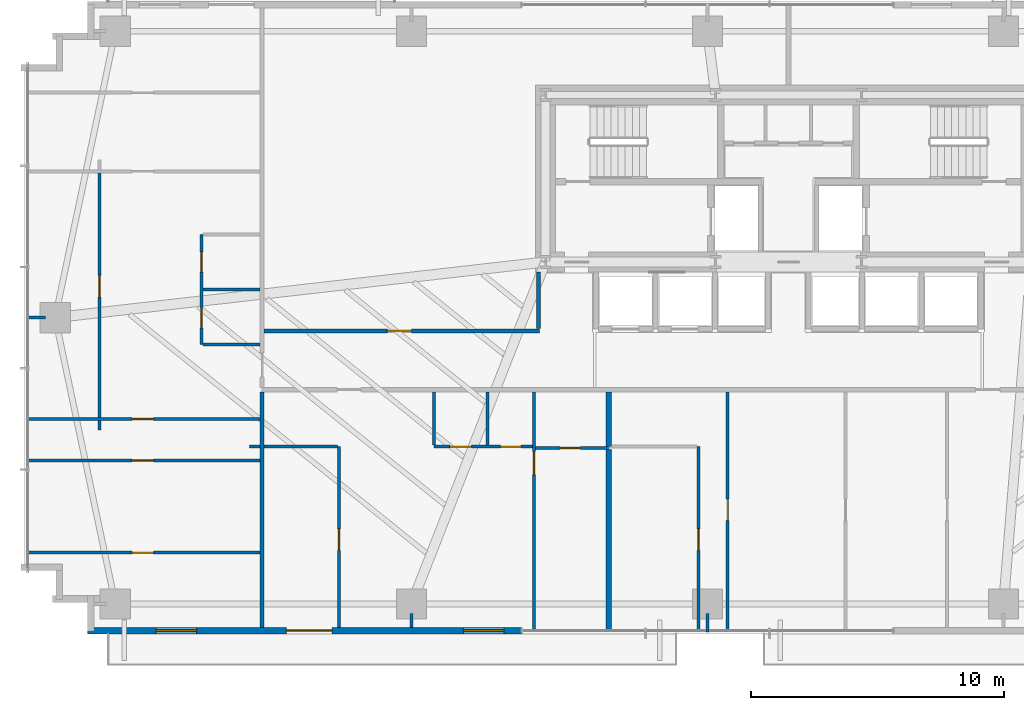
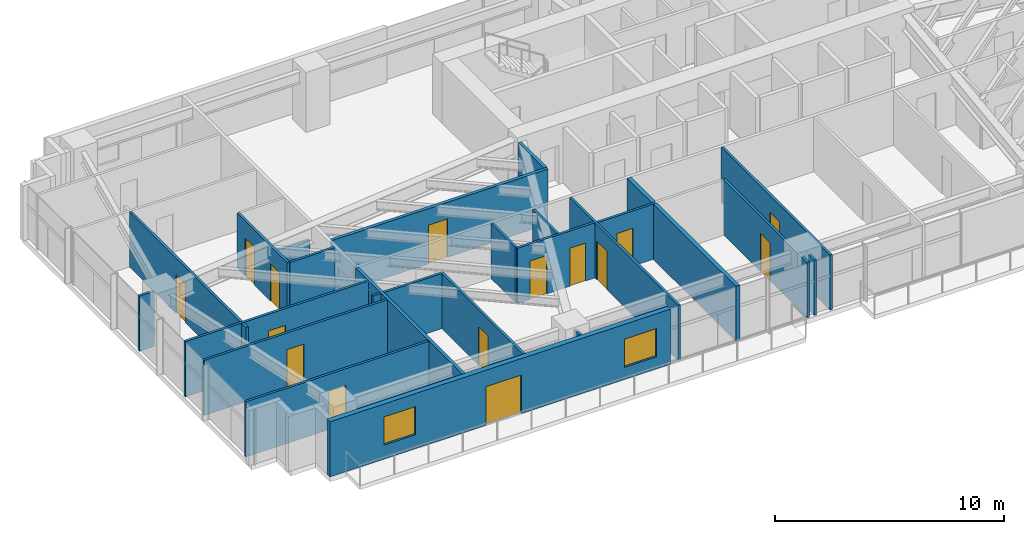
# One storey, part 19 of 25: 27 walls, 15 doors, 2 windows, 17 openings.
"""IFC4 building model written with IfcOpenShell, lengths in metres."""

from ifc_helpers import new_model, si_unit, direction, frame, frame_2d, origin, place, context, subcontext, project, spatial, rectangle, extrude, source, transform, mapped, material, layer, layer_set, type_object, type_shapes, element, fill, save


model = new_model("IFC4")

# Units and contexts
model_context = context("Model", 3, precision=1e-05, world=origin(), true_north=direction((0.0, 1.0)))
body_context = subcontext(model_context, "Body", "Model", "MODEL_VIEW")
ifc_project = project(units=[si_unit("LENGTHUNIT", "METRE"), si_unit("AREAUNIT", "SQUARE_METRE"), si_unit("VOLUMEUNIT", "CUBIC_METRE"), si_unit("PLANEANGLEUNIT", "RADIAN"), si_unit("MASSUNIT", "GRAM", prefix="KILO")], contexts=[model_context])

# Site, building, storey
site_placement = place(None, origin())
site = spatial("IfcSite", under=ifc_project, at=site_placement, CompositionType="ELEMENT")
building_placement = place(site_placement, origin())
building = spatial("IfcBuilding", under=site, at=building_placement, Name="Astriad Promenade Condominiums", CompositionType="ELEMENT")
storey_placement = place(building_placement, frame((0.0, 0.0, 29.39990234375)))
storey = spatial("IfcBuildingStorey", under=building, at=storey_placement, Name="L07", CompositionType="ELEMENT", Elevation=29.39990234375)

# Wall
ifc_material_1 = material(Name="Fire-Rated Gypsum Partition")
ifc_layer_1 = layer(ifc_material_1, 0.159912109375)
ifc_layer_set_1 = layer_set([ifc_layer_1], Name="Fire-Rated Gypsum Partition")
wall_type_1 = type_object("IfcWallType", Name="WALL-CORR-160", PredefinedType="PARTITIONING", material=ifc_layer_set_1)
wall_1_placement = place(storey_placement, frame((15.199951171875, 2.9619140625, 0.0), z_axis=(0.0, 0.0, 1.0), x_axis=(0.0, 1.0, 0.0)))
element("IfcWall", 1, at=wall_1_placement, inside=storey, type_object=wall_type_1, Name="PT-COR-W-L07", PredefinedType="PARTITIONING", context=body_context, shape_type="SweptSolid", body=[
    extrude(rectangle(XDim=9.30615234375, YDim=0.159912109375, at=frame_2d((4.653076171875, 0.0))), origin(), (0.0, 0.0, 1.0), 2.940185546875),
])

# Wall, opening, door
wall_2_placement = place(storey_placement, frame((15.281982421875, 14.679931640625, 0.0), z_axis=(0.0, 0.0, 1.0), x_axis=(1.0, 0.0, 0.0)))
wall_2 = element("IfcWall", 2, at=wall_2_placement, inside=storey, type_object=wall_type_1, Name="PT-FLK-NW-L07", PredefinedType="PARTITIONING", context=body_context, shape_type="SweptSolid", body=[
    extrude(rectangle(XDim=10.8779296875, YDim=0.159912109375, at=frame_2d((5.43896484375, 0.0))), origin(), (0.0, 0.0, 1.0), 2.940185546875),
])
opening_1_placement = place(wall_2_placement, frame((4.863037109375, 0.0, 0.0)))
opening_1 = element("IfcOpeningElement", 3, at=opening_1_placement, cuts=wall_2, Name="Opening FD60-APT-095", PredefinedType="OPENING", context=body_context, shape_type="SweptSolid", body=[
    extrude(rectangle(XDim=0.949951171875, YDim=2.06005859375, at=frame_2d((0.47509765625, 1.030029296875))), frame((0.0, 0.08984375, 0.0), z_axis=(0.0, -1.0, 0.0), x_axis=(1.0, 0.0, 0.0)), (0.0, 0.0, 1.0), 0.179931640625),
])
ifc_material_2 = material(Name="Solid-Core Acoustic Timber Residence Entry Door", Category="wood")
door_type_1 = type_object("IfcDoorType", Name="FD60-APT-095", OperationType="NOTDEFINED", PredefinedType="DOOR", material=ifc_material_2)
shared_shape_1 = source(origin(), body_context, "Body", "SweptSolid", [
    extrude(rectangle(XDim=0.949951171875, YDim=2.06005859375, at=frame_2d((0.47509765625, 1.030029296875))), frame((0.0, 0.02490234375, 0.0), z_axis=(0.0, -1.0, 0.0), x_axis=(1.0, 0.0, 0.0)), (0.0, 0.0, 1.0), 0.050048828125),
])
type_shapes(door_type_1, [shared_shape_1])
door_1_placement = place(opening_1_placement, origin())
door_1 = element("IfcDoor", 4, at=door_1_placement, inside=storey, type_object=door_type_1, Name="D-NWA-L07", OperationType="SINGLE_SWING_LEFT", OverallHeight=2.06005859375, OverallWidth=0.949951171875, PredefinedType="DOOR", context=body_context, shape_type="MappedRepresentation", body=[
    mapped(shared_shape_1, transform((0.0, 0.0, 0.0), scale=1.0)),
])
fill(opening_1, door_1)

# Walls
wall_3_placement = place(storey_placement, frame((26.1201171875, 14.761962890625, 0.0), z_axis=(0.0, 0.0, 1.0), x_axis=(0.0, 1.0, 0.0)))
element("IfcWall", 5, at=wall_3_placement, inside=storey, type_object=wall_type_1, Name="PT-WSPUR-W-L07", PredefinedType="PARTITIONING", context=body_context, shape_type="SweptSolid", body=[
    extrude(rectangle(XDim=2.236083984375, YDim=0.159912109375, at=frame_2d((1.1181640625, 0.0))), origin(), (0.0, 0.0, 1.0), 2.940185546875),
])
ifc_material_3 = material(Name="Acoustic Double-Stud Gypsum Partition")
ifc_layer_2 = layer(ifc_material_3, 0.199951171875)
ifc_layer_set_2 = layer_set([ifc_layer_2], Name="Acoustic Double-Stud Gypsum Partition")
wall_type_2 = type_object("IfcWallType", Name="WALL-DEMISING-200", PredefinedType="PARTITIONING", material=ifc_layer_set_2)
wall_4_placement = place(storey_placement, frame((28.89794921875, 2.780029296875, 0.0), z_axis=(0.0, 0.0, 1.0), x_axis=(0.0, 1.0, 0.0)))
element("IfcWall", 6, at=wall_4_placement, inside=storey, type_object=wall_type_2, Name="PT-DEM-S1-L07", PredefinedType="PARTITIONING", context=body_context, shape_type="SweptSolid", body=[
    extrude(rectangle(XDim=7.2080078125, YDim=0.199951171875, at=frame_2d((3.60400390625, 0.0))), origin(), (0.0, 0.0, 1.0), 2.940185546875),
])
wall_5_placement = place(storey_placement, frame((28.89794921875, 10.112060546875, 0.0), z_axis=(0.0, 0.0, 1.0), x_axis=(0.0, 1.0, 0.0)))
element("IfcWall", 7, at=wall_5_placement, inside=storey, type_object=wall_type_2, Name="PT-DEM-S1-L07-S2", PredefinedType="PARTITIONING", context=body_context, shape_type="SweptSolid", body=[
    extrude(rectangle(XDim=2.156005859375, YDim=0.199951171875, at=frame_2d((1.078125, 0.0))), origin(), (0.0, 0.0, 1.0), 2.940185546875),
])

# Wall, openings, door, windows
ifc_material_4 = material(Name="Precast concrete C50/60", Category="concrete")
ifc_layer_3 = layer(ifc_material_4, 0.260009765625)
ifc_layer_set_3 = layer_set([ifc_layer_3], Name="Precast concrete C50/60")
wall_type_3 = type_object("IfcWallType", Name="WALL-EXT-TWR-260", PredefinedType="STANDARD", material=ifc_layer_set_3)
wall_6_placement = place(storey_placement, frame((25.449951171875, 2.830078125, 0.0), z_axis=(0.0, 0.0, 1.0), x_axis=(-1.0, 0.0, 0.0)))
wall_6 = element("IfcWall", 8, at=wall_6_placement, inside=storey, type_object=wall_type_3, Name="W-EXT-L07-S2", PredefinedType="STANDARD", context=body_context, shape_type="SweptSolid", body=[
    extrude(rectangle(XDim=17.14990234375, YDim=0.260009765625, at=frame_2d((8.574951171875, 0.0))), origin(), (0.0, 0.0, 1.0), 2.940185546875),
])
opening_2_placement = place(wall_6_placement, frame((7.489990234375, 0.0, 0.0)))
opening_2 = element("IfcOpeningElement", 9, at=opening_2_placement, cuts=wall_6, Name="Opening BD-1822-SLD", PredefinedType="OPENING", context=body_context, shape_type="SweptSolid", body=[
    extrude(rectangle(XDim=1.800048828125, YDim=2.06005859375, at=frame_2d((0.89990234375, 1.030029296875))), frame((0.0, 0.139892578125, 0.0), z_axis=(0.0, -1.0, 0.0), x_axis=(1.0, 0.0, 0.0)), (0.0, 0.0, 1.0), 0.280029296875),
])
opening_3_placement = place(wall_6_placement, frame((0.699951171875, 0.0, 0.64990234375)))
opening_3 = element("IfcOpeningElement", 10, at=opening_3_placement, cuts=wall_6, Name="Opening WIN-TWR-1620", PredefinedType="OPENING", context=body_context, shape_type="SweptSolid", body=[
    extrude(rectangle(XDim=1.60009765625, YDim=1.5, at=frame_2d((0.800048828125, 0.75))), frame((0.0, 0.139892578125, 0.0), z_axis=(0.0, -1.0, 0.0), x_axis=(1.0, 0.0, 0.0)), (0.0, 0.0, 1.0), 0.280029296875),
])
opening_4_placement = place(wall_6_placement, frame((12.840087890625, 0.0, 0.75)))
opening_4 = element("IfcOpeningElement", 11, at=opening_4_placement, cuts=wall_6, Name="Opening WIN-TWR-1620", PredefinedType="OPENING", context=body_context, shape_type="SweptSolid", body=[
    extrude(rectangle(XDim=1.60009765625, YDim=1.5, at=frame_2d((0.800048828125, 0.75))), frame((0.0, 0.139892578125, 0.0), z_axis=(0.0, -1.0, 0.0), x_axis=(1.0, 0.0, 0.0)), (0.0, 0.0, 1.0), 0.280029296875),
])
ifc_material_5 = material(Name="Thermally Broken Aluminium Sliding Balcony Door", Category="aluminium")
door_type_2 = type_object("IfcDoorType", Name="BD-1822-SLD", OperationType="NOTDEFINED", PredefinedType="DOOR", material=ifc_material_5)
shared_shape_2 = source(origin(), body_context, "Body", "SweptSolid", [
    extrude(rectangle(XDim=1.800048828125, YDim=2.06005859375, at=frame_2d((0.89990234375, 1.030029296875))), frame((0.0, 0.02490234375, 0.0), z_axis=(0.0, -1.0, 0.0), x_axis=(1.0, 0.0, 0.0)), (0.0, 0.0, 1.0), 0.050048828125),
])
type_shapes(door_type_2, [shared_shape_2])
door_2_placement = place(opening_2_placement, origin())
door_2 = element("IfcDoor", 12, at=door_2_placement, inside=storey, type_object=door_type_2, Name="BD-L07-SW", OperationType="SLIDING_TO_LEFT", OverallHeight=2.06005859375, OverallWidth=1.800048828125, PredefinedType="DOOR", context=body_context, shape_type="MappedRepresentation", body=[
    mapped(shared_shape_2, transform((0.0, 0.0, 0.0), scale=1.0)),
])
fill(opening_2, door_2)
ifc_material_6 = material(Name="Dark Tinted Triple-Glazed Aluminium Window", Category="aluminium")
window_type = type_object("IfcWindowType", Name="WIN-TWR-1620", PartitioningType="SINGLE_PANEL", PredefinedType="WINDOW", material=ifc_material_6)
shared_shape_3 = source(origin(), body_context, "Body", "SweptSolid", [
    extrude(rectangle(XDim=1.60009765625, YDim=1.5, at=frame_2d((0.800048828125, 0.75))), frame((0.0, 0.030029296875, 0.0), z_axis=(0.0, -1.0, 0.0), x_axis=(1.0, 0.0, 0.0)), (0.0, 0.0, 1.0), 0.06005859375),
])
type_shapes(window_type, [shared_shape_3])
window_1_placement = place(opening_3_placement, origin())
window_1 = element("IfcWindow", 13, at=window_1_placement, inside=storey, type_object=window_type, Name="WIN-L07-SW", OverallHeight=1.5, OverallWidth=1.60009765625, PartitioningType="SINGLE_PANEL", PredefinedType="WINDOW", context=body_context, shape_type="MappedRepresentation", body=[
    mapped(shared_shape_3, transform((0.0, 0.0, 0.0), scale=1.0)),
])
fill(opening_3, window_1)
window_2_placement = place(opening_4_placement, origin())
window_2 = element("IfcWindow", 14, at=window_2_placement, inside=storey, type_object=window_type, Name="WIN-DW-L07-W1-BD2", OverallHeight=1.5, OverallWidth=1.60009765625, PartitioningType="SINGLE_PANEL", PredefinedType="WINDOW", context=body_context, shape_type="MappedRepresentation", body=[
    mapped(shared_shape_3, transform((0.0, 0.0, 0.0), scale=1.0)),
])
fill(opening_4, window_2)

# Wall, opening, door
ifc_material_7 = material(Name="Acoustic Metal-Stud Gypsum Partition")
ifc_layer_4 = layer(ifc_material_7, 0.1201171875)
ifc_layer_set_4 = layer_set([ifc_layer_4], Name="Acoustic Metal-Stud Gypsum Partition")
wall_type_4 = type_object("IfcWallType", Name="WALL-PART-120", PredefinedType="PARTITIONING", material=ifc_layer_set_4)
wall_7_placement = place(storey_placement, frame((25.947998046875, 2.780029296875, 0.0), z_axis=(0.0, 0.0, 1.0), x_axis=(0.0, 1.0, 0.0)))
wall_7 = element("IfcWall", 15, at=wall_7_placement, inside=storey, type_object=wall_type_4, Name="PT-L07-S1-BD1", PredefinedType="PARTITIONING", context=body_context, shape_type="SweptSolid", body=[
    extrude(rectangle(XDim=9.488037109375, YDim=0.1201171875, at=frame_2d((4.744140625, 0.0))), origin(), (0.0, 0.0, 1.0), 2.940185546875),
])
opening_5_placement = place(wall_7_placement, frame((6.219970703125, 0.0, 0.0)))
opening_5 = element("IfcOpeningElement", 16, at=opening_5_placement, cuts=wall_7, Name="Opening D-INT-090", PredefinedType="OPENING", context=body_context, shape_type="SweptSolid", body=[
    extrude(rectangle(XDim=0.89990234375, YDim=2.050048828125, at=frame_2d((0.449951171875, 1.02490234375))), frame((0.0, 0.070068359375, 0.0), z_axis=(0.0, -1.0, 0.0), x_axis=(1.0, 0.0, 0.0)), (0.0, 0.0, 1.0), 0.14013671875),
])
ifc_material_8 = material(Name="Painted Solid-Core Timber Bedroom Door", Category="wood")
door_type_3 = type_object("IfcDoorType", Name="D-INT-090", OperationType="NOTDEFINED", PredefinedType="DOOR", material=ifc_material_8)
shared_shape_4 = source(origin(), body_context, "Body", "SweptSolid", [
    extrude(rectangle(XDim=0.89990234375, YDim=2.050048828125, at=frame_2d((0.449951171875, 1.02490234375))), frame((0.0, 0.02490234375, 0.0), z_axis=(0.0, -1.0, 0.0), x_axis=(1.0, 0.0, 0.0)), (0.0, 0.0, 1.0), 0.050048828125),
])
type_shapes(door_type_3, [shared_shape_4])
door_3_placement = place(opening_5_placement, origin())
door_3 = element("IfcDoor", 17, at=door_3_placement, inside=storey, type_object=door_type_3, Name="D-BD1-L07-S1", OperationType="SINGLE_SWING_RIGHT", OverallHeight=2.050048828125, OverallWidth=0.89990234375, PredefinedType="DOOR", context=body_context, shape_type="MappedRepresentation", body=[
    mapped(shared_shape_4, transform((0.0, 0.0, 0.0), scale=1.0)),
])
fill(opening_5, door_3)

# Wall, openings, doors
wall_8_placement = place(storey_placement, frame((21.998046875, 10.10009765625, 0.0), z_axis=(0.0, 0.0, 1.0), x_axis=(1.0, 0.0, 0.0)))
wall_8 = element("IfcWall", 18, at=wall_8_placement, inside=storey, type_object=wall_type_4, Name="PT-L07-S1-PS", PredefinedType="PARTITIONING", context=body_context, shape_type="SweptSolid", body=[
    extrude(rectangle(XDim=3.887939453125, YDim=0.1201171875, at=frame_2d((1.94384765625, 0.0))), origin(), (0.0, 0.0, 1.0), 2.940185546875),
])
opening_6_placement = place(wall_8_placement, frame((0.625, 0.0, 0.0)))
opening_6 = element("IfcOpeningElement", 19, at=opening_6_placement, cuts=wall_8, Name="Opening D-INT-085", PredefinedType="OPENING", context=body_context, shape_type="SweptSolid", body=[
    extrude(rectangle(XDim=0.85009765625, YDim=2.050048828125, at=frame_2d((0.425048828125, 1.02490234375))), frame((0.0, 0.070068359375, 0.0), z_axis=(0.0, -1.0, 0.0), x_axis=(1.0, 0.0, 0.0)), (0.0, 0.0, 1.0), 0.14013671875),
])
opening_7_placement = place(wall_8_placement, frame((2.625, 0.0, 0.0)))
opening_7 = element("IfcOpeningElement", 20, at=opening_7_placement, cuts=wall_8, Name="Opening D-WET-080", PredefinedType="OPENING", context=body_context, shape_type="SweptSolid", body=[
    extrude(rectangle(XDim=0.800048828125, YDim=2.02001953125, at=frame_2d((0.39990234375, 1.010009765625))), frame((0.0, 0.070068359375, 0.0), z_axis=(0.0, -1.0, 0.0), x_axis=(1.0, 0.0, 0.0)), (0.0, 0.0, 1.0), 0.14013671875),
])
ifc_material_9 = material(Name="Moisture-Resistant Timber Bathroom Door", Category="wood")
door_type_4 = type_object("IfcDoorType", Name="D-WET-080", OperationType="NOTDEFINED", PredefinedType="DOOR", material=ifc_material_9)
shared_shape_5 = source(origin(), body_context, "Body", "SweptSolid", [
    extrude(rectangle(XDim=0.800048828125, YDim=2.02001953125, at=frame_2d((0.39990234375, 1.010009765625))), frame((0.0, 0.02490234375, 0.0), z_axis=(0.0, -1.0, 0.0), x_axis=(1.0, 0.0, 0.0)), (0.0, 0.0, 1.0), 0.050048828125),
])
type_shapes(door_type_4, [shared_shape_5])
door_4_placement = place(opening_7_placement, origin())
door_4 = element("IfcDoor", 21, at=door_4_placement, inside=storey, type_object=door_type_4, Name="D-BTH-L07-S1", OperationType="SINGLE_SWING_RIGHT", OverallHeight=2.02001953125, OverallWidth=0.800048828125, PredefinedType="DOOR", context=body_context, shape_type="MappedRepresentation", body=[
    mapped(shared_shape_5, transform((0.0, 0.0, 0.0), scale=1.0)),
])
fill(opening_7, door_4)
ifc_material_10 = material(Name="Painted Solid-Core Timber Room Door", Category="wood")
door_type_5 = type_object("IfcDoorType", Name="D-INT-085", OperationType="NOTDEFINED", PredefinedType="DOOR", material=ifc_material_10)
shared_shape_6 = source(origin(), body_context, "Body", "SweptSolid", [
    extrude(rectangle(XDim=0.85009765625, YDim=2.050048828125, at=frame_2d((0.425048828125, 1.02490234375))), frame((0.0, 0.02490234375, 0.0), z_axis=(0.0, -1.0, 0.0), x_axis=(1.0, 0.0, 0.0)), (0.0, 0.0, 1.0), 0.050048828125),
])
type_shapes(door_type_5, [shared_shape_6])
door_5_placement = place(opening_6_placement, origin())
door_5 = element("IfcDoor", 22, at=door_5_placement, inside=storey, type_object=door_type_5, Name="D-KIT-L07-S1", OperationType="SINGLE_SWING_LEFT", OverallHeight=2.050048828125, OverallWidth=0.85009765625, PredefinedType="DOOR", context=body_context, shape_type="MappedRepresentation", body=[
    mapped(shared_shape_6, transform((0.0, 0.0, 0.0), scale=1.0)),
])
fill(opening_6, door_5)

# Walls
for number, where, z_axis, x_axis, name in (
    (23, (24.097900390625, 10.162109375, 0.0), (0.0, 0.0, 1.0), (0.0, 1.0, 0.0), "PT-L07-S1-PBK"),
    (24, (21.998046875, 10.162109375, 0.0), (0.0, 0.0, 1.0), (0.0, 1.0, 0.0), "PT-L07-S1-PKW"),
):
    element("IfcWall", number, at=place(storey_placement, frame(where, z_axis=z_axis, x_axis=x_axis)), inside=storey, type_object=wall_type_4, Name=name, PredefinedType="PARTITIONING", context=body_context, shape_type="SweptSolid", body=[
        extrude(rectangle(XDim=2.10595703125, YDim=0.1201171875, at=frame_2d((1.052978515625, 0.0))), origin(), (0.0, 0.0, 1.0), 2.940185546875),
    ])

# Wall, opening, door
wall_9_placement = place(storey_placement, frame((26.010009765625, 10.050048828125, 0.0), z_axis=(0.0, 0.0, 1.0), x_axis=(1.0, 0.0, 0.0)))
wall_9 = element("IfcWall", 25, at=wall_9_placement, inside=storey, type_object=wall_type_4, Name="PT-L07-S1-ENS", PredefinedType="PARTITIONING", context=body_context, shape_type="SweptSolid", body=[
    extrude(rectangle(XDim=2.887939453125, YDim=0.1201171875, at=frame_2d((1.44384765625, 0.0))), origin(), (0.0, 0.0, 1.0), 2.940185546875),
])
opening_8_placement = place(wall_9_placement, frame((0.962890625, 0.0, 0.0)))
opening_8 = element("IfcOpeningElement", 26, at=opening_8_placement, cuts=wall_9, Name="Opening D-WET-080", PredefinedType="OPENING", context=body_context, shape_type="SweptSolid", body=[
    extrude(rectangle(XDim=0.800048828125, YDim=2.02001953125, at=frame_2d((0.39990234375, 1.010009765625))), frame((0.0, 0.070068359375, 0.0), z_axis=(0.0, -1.0, 0.0), x_axis=(1.0, 0.0, 0.0)), (0.0, 0.0, 1.0), 0.14013671875),
])
door_6_placement = place(opening_8_placement, origin())
door_6 = element("IfcDoor", 27, at=door_6_placement, inside=storey, type_object=door_type_4, Name="D-ENS-L07-S1", OperationType="SINGLE_SWING_LEFT", OverallHeight=2.02001953125, OverallWidth=0.800048828125, PredefinedType="DOOR", context=body_context, shape_type="MappedRepresentation", body=[
    mapped(shared_shape_5, transform((0.0, 0.0, 0.0), scale=1.0)),
])
fill(opening_8, door_6)

wall_10_placement = place(storey_placement, frame((18.236083984375, 2.9619140625, 0.0), z_axis=(0.0, 0.0, 1.0), x_axis=(0.0, 1.0, 0.0)))
wall_10 = element("IfcWall", 28, at=wall_10_placement, inside=storey, type_object=wall_type_4, Name="PT-L07-S1-EXV", PredefinedType="PARTITIONING", context=body_context, shape_type="SweptSolid", body=[
    extrude(rectangle(XDim=7.13818359375, YDim=0.1201171875, at=frame_2d((3.569091796875, 0.0))), origin(), (0.0, 0.0, 1.0), 2.940185546875),
])
opening_9_placement = place(wall_10_placement, frame((3.04296875, 0.0, 0.0)))
opening_9 = element("IfcOpeningElement", 29, at=opening_9_placement, cuts=wall_10, Name="Opening D-INT-085", PredefinedType="OPENING", context=body_context, shape_type="SweptSolid", body=[
    extrude(rectangle(XDim=0.85009765625, YDim=2.050048828125, at=frame_2d((0.425048828125, 1.02490234375))), frame((0.0, 0.070068359375, 0.0), z_axis=(0.0, -1.0, 0.0), x_axis=(1.0, 0.0, 0.0)), (0.0, 0.0, 1.0), 0.14013671875),
])
door_7_placement = place(opening_9_placement, origin())
door_7 = element("IfcDoor", 30, at=door_7_placement, inside=storey, type_object=door_type_5, Name="D-EX-L07-S1", OperationType="SINGLE_SWING_RIGHT", OverallHeight=2.050048828125, OverallWidth=0.85009765625, PredefinedType="DOOR", context=body_context, shape_type="MappedRepresentation", body=[
    mapped(shared_shape_6, transform((0.0, 0.0, 0.0), scale=1.0)),
])
fill(opening_9, door_7)

# Walls
wall_11_placement = place(storey_placement, frame((14.699951171875, 10.10009765625, 0.0), z_axis=(0.0, 0.0, 1.0), x_axis=(1.0, 0.0, 0.0)))
element("IfcWall", 31, at=wall_11_placement, inside=storey, type_object=wall_type_4, Name="PT-L07-S1-EXH", PredefinedType="PARTITIONING", context=body_context, shape_type="SweptSolid", body=[
    extrude(rectangle(XDim=0.41796875, YDim=0.1201171875, at=frame_2d((0.208984375, 0.0))), origin(), (0.0, 0.0, 1.0), 2.940185546875),
])
wall_12_placement = place(storey_placement, frame((15.281982421875, 10.10009765625, 0.0), z_axis=(0.0, 0.0, 1.0), x_axis=(1.0, 0.0, 0.0)))
element("IfcWall", 32, at=wall_12_placement, inside=storey, type_object=wall_type_4, Name="PT-L07-S1-EXH-S2", PredefinedType="PARTITIONING", context=body_context, shape_type="SweptSolid", body=[
    extrude(rectangle(XDim=2.89208984375, YDim=0.1201171875, at=frame_2d((1.446044921875, 0.0))), origin(), (0.0, 0.0, 1.0), 2.940185546875),
])

# Wall, opening, door
wall_13_placement = place(storey_placement, frame((32.447998046875, 2.780029296875, 0.0), z_axis=(0.0, 0.0, 1.0), x_axis=(0.0, 1.0, 0.0)))
wall_13 = element("IfcWall", 33, at=wall_13_placement, inside=storey, type_object=wall_type_4, Name="PT-L07-S2-EXV", PredefinedType="PARTITIONING", context=body_context, shape_type="SweptSolid", body=[
    extrude(rectangle(XDim=7.320068359375, YDim=0.1201171875, at=frame_2d((3.66015625, 0.0))), origin(), (0.0, 0.0, 1.0), 2.940185546875),
])
opening_10_placement = place(wall_13_placement, frame((3.22509765625, 0.0, 0.0)))
opening_10 = element("IfcOpeningElement", 34, at=opening_10_placement, cuts=wall_13, Name="Opening D-INT-085", PredefinedType="OPENING", context=body_context, shape_type="SweptSolid", body=[
    extrude(rectangle(XDim=0.85009765625, YDim=2.050048828125, at=frame_2d((0.425048828125, 1.02490234375))), frame((0.0, 0.070068359375, 0.0), z_axis=(0.0, -1.0, 0.0), x_axis=(1.0, 0.0, 0.0)), (0.0, 0.0, 1.0), 0.14013671875),
])
door_8_placement = place(opening_10_placement, origin())
door_8 = element("IfcDoor", 35, at=door_8_placement, inside=storey, type_object=door_type_5, Name="D-EX-L07-S2", OperationType="SINGLE_SWING_LEFT", OverallHeight=2.050048828125, OverallWidth=0.85009765625, PredefinedType="DOOR", context=body_context, shape_type="MappedRepresentation", body=[
    mapped(shared_shape_6, transform((0.0, 0.0, 0.0), scale=1.0)),
])
fill(opening_10, door_8)

wall_14_placement = place(storey_placement, frame((33.597900390625, 2.780029296875, 0.0), z_axis=(0.0, 0.0, 1.0), x_axis=(0.0, 1.0, 0.0)))
wall_14 = element("IfcWall", 36, at=wall_14_placement, inside=storey, type_object=wall_type_4, Name="PT-L07-S2-CAP1", PredefinedType="PARTITIONING", context=body_context, shape_type="SweptSolid", body=[
    extrude(rectangle(XDim=9.488037109375, YDim=0.1201171875, at=frame_2d((4.744140625, 0.0))), origin(), (0.0, 0.0, 1.0), 2.940185546875),
])
opening_11_placement = place(wall_14_placement, frame((4.39990234375, 0.0, 0.0)))
opening_11 = element("IfcOpeningElement", 37, at=opening_11_placement, cuts=wall_14, Name="Opening D-INT-085", PredefinedType="OPENING", context=body_context, shape_type="SweptSolid", body=[
    extrude(rectangle(XDim=0.85009765625, YDim=2.050048828125, at=frame_2d((0.425048828125, 1.02490234375))), frame((0.0, 0.070068359375, 0.0), z_axis=(0.0, -1.0, 0.0), x_axis=(1.0, 0.0, 0.0)), (0.0, 0.0, 1.0), 0.14013671875),
])
door_9_placement = place(opening_11_placement, origin())
door_9 = element("IfcDoor", 38, at=door_9_placement, inside=storey, type_object=door_type_5, Name="D-CAP1-L07-S2", OperationType="SINGLE_SWING_RIGHT", OverallHeight=2.050048828125, OverallWidth=0.85009765625, PredefinedType="DOOR", context=body_context, shape_type="MappedRepresentation", body=[
    mapped(shared_shape_6, transform((0.0, 0.0, 0.0), scale=1.0)),
])
fill(opening_11, door_9)

# Wall, openings, doors
wall_15_placement = place(storey_placement, frame((12.800048828125, 14.135986328125, 0.0), z_axis=(0.0, 0.0, 1.0), x_axis=(0.0, 1.0, 0.0)))
wall_15 = element("IfcWall", 39, at=wall_15_placement, inside=storey, type_object=wall_type_4, Name="PT-L07-W1-PV", PredefinedType="PARTITIONING", context=body_context, shape_type="SweptSolid", body=[
    extrude(rectangle(XDim=4.35009765625, YDim=0.1201171875, at=frame_2d((2.175048828125, 0.0))), origin(), (0.0, 0.0, 1.0), 2.940185546875),
])
opening_12_placement = place(wall_15_placement, frame((0.662109375, 0.0, 0.0)))
opening_12 = element("IfcOpeningElement", 40, at=opening_12_placement, cuts=wall_15, Name="Opening D-ULOW-080", PredefinedType="OPENING", context=body_context, shape_type="SweptSolid", body=[
    extrude(rectangle(XDim=0.800048828125, YDim=2.0, at=frame_2d((0.39990234375, 1.0))), frame((0.0, 0.070068359375, 0.0), z_axis=(0.0, -1.0, 0.0), x_axis=(1.0, 0.0, 0.0)), (0.0, 0.0, 1.0), 0.14013671875),
])
opening_13_placement = place(wall_15_placement, frame((2.862060546875, 0.0, 0.0)))
opening_13 = element("IfcOpeningElement", 41, at=opening_13_placement, cuts=wall_15, Name="Opening D-WET-080", PredefinedType="OPENING", context=body_context, shape_type="SweptSolid", body=[
    extrude(rectangle(XDim=0.800048828125, YDim=2.02001953125, at=frame_2d((0.39990234375, 1.010009765625))), frame((0.0, 0.070068359375, 0.0), z_axis=(0.0, -1.0, 0.0), x_axis=(1.0, 0.0, 0.0)), (0.0, 0.0, 1.0), 0.14013671875),
])
door_10_placement = place(opening_13_placement, origin())
door_10 = element("IfcDoor", 42, at=door_10_placement, inside=storey, type_object=door_type_4, Name="D-BTH-L07-W1", OperationType="SINGLE_SWING_LEFT", OverallHeight=2.02001953125, OverallWidth=0.800048828125, PredefinedType="DOOR", context=body_context, shape_type="MappedRepresentation", body=[
    mapped(shared_shape_5, transform((0.0, 0.0, 0.0), scale=1.0)),
])
fill(opening_13, door_10)
ifc_material_11 = material(Name="Painted Timber Low-Headroom Door", Category="wood")
door_type_6 = type_object("IfcDoorType", Name="D-ULOW-080", OperationType="NOTDEFINED", PredefinedType="DOOR", material=ifc_material_11)
shared_shape_7 = source(origin(), body_context, "Body", "SweptSolid", [
    extrude(rectangle(XDim=0.800048828125, YDim=2.0, at=frame_2d((0.39990234375, 1.0))), frame((0.0, 0.02490234375, 0.0), z_axis=(0.0, -1.0, 0.0), x_axis=(1.0, 0.0, 0.0)), (0.0, 0.0, 1.0), 0.050048828125),
])
type_shapes(door_type_6, [shared_shape_7])
door_11_placement = place(opening_12_placement, origin())
door_11 = element("IfcDoor", 43, at=door_11_placement, inside=storey, type_object=door_type_6, Name="D-KIT-L07-W1", OperationType="SINGLE_SWING_RIGHT", OverallHeight=2.0, OverallWidth=0.800048828125, PredefinedType="DOOR", context=body_context, shape_type="MappedRepresentation", body=[
    mapped(shared_shape_7, transform((0.0, 0.0, 0.0), scale=1.0)),
])
fill(opening_12, door_11)

# Walls
wall_16_placement = place(storey_placement, frame((12.862060546875, 16.31103515625, 0.0), z_axis=(0.0, 0.0, 1.0), x_axis=(1.0, 0.0, 0.0)))
element("IfcWall", 44, at=wall_16_placement, inside=storey, type_object=wall_type_4, Name="PT-L07-W1-PM", PredefinedType="PARTITIONING", context=body_context, shape_type="SweptSolid", body=[
    extrude(rectangle(XDim=2.255859375, YDim=0.1201171875, at=frame_2d((1.1279296875, 0.0))), origin(), (0.0, 0.0, 1.0), 2.044921875),
])
wall_17_placement = place(storey_placement, frame((12.862060546875, 14.135986328125, 0.0), z_axis=(0.0, 0.0, 1.0), x_axis=(1.0, 0.0, 0.0)))
element("IfcWall", 45, at=wall_17_placement, inside=storey, type_object=wall_type_4, Name="PT-L07-W1-PS", PredefinedType="PARTITIONING", context=body_context, shape_type="SweptSolid", body=[
    extrude(rectangle(XDim=2.255859375, YDim=0.1201171875, at=frame_2d((1.1279296875, 0.0))), origin(), (0.0, 0.0, 1.0), 2.940185546875),
])

# Wall, opening, door
wall_18_placement = place(storey_placement, frame((5.8798828125, 5.909912109375, 0.0), z_axis=(0.0, 0.0, 1.0), x_axis=(1.0, 0.0, 0.0)))
wall_18 = element("IfcWall", 46, at=wall_18_placement, inside=storey, type_object=wall_type_4, Name="PT-L07-W1-B2", PredefinedType="PARTITIONING", context=body_context, shape_type="SweptSolid", body=[
    extrude(rectangle(XDim=9.238037109375, YDim=0.1201171875, at=frame_2d((4.619140625, 0.0))), origin(), (0.0, 0.0, 1.0), 2.940185546875),
])
opening_14_placement = place(wall_18_placement, frame((4.18505859375, 0.0, 0.0)))
opening_14 = element("IfcOpeningElement", 47, at=opening_14_placement, cuts=wall_18, Name="Opening D-INT-085", PredefinedType="OPENING", context=body_context, shape_type="SweptSolid", body=[
    extrude(rectangle(XDim=0.85009765625, YDim=2.050048828125, at=frame_2d((0.425048828125, 1.02490234375))), frame((0.0, 0.070068359375, 0.0), z_axis=(0.0, -1.0, 0.0), x_axis=(1.0, 0.0, 0.0)), (0.0, 0.0, 1.0), 0.14013671875),
])
door_12_placement = place(opening_14_placement, origin())
door_12 = element("IfcDoor", 48, at=door_12_placement, inside=storey, type_object=door_type_5, Name="D-BD2-L07-W1", OperationType="SINGLE_SWING_LEFT", OverallHeight=2.050048828125, OverallWidth=0.85009765625, PredefinedType="DOOR", context=body_context, shape_type="MappedRepresentation", body=[
    mapped(shared_shape_6, transform((0.0, 0.0, 0.0), scale=1.0)),
])
fill(opening_14, door_12)

wall_19_placement = place(storey_placement, frame((5.8798828125, 9.553955078125, 0.0), z_axis=(0.0, 0.0, 1.0), x_axis=(1.0, 0.0, 0.0)))
wall_19 = element("IfcWall", 49, at=wall_19_placement, inside=storey, type_object=wall_type_4, Name="PT-L07-W1-WDS1", PredefinedType="PARTITIONING", context=body_context, shape_type="SweptSolid", body=[
    extrude(rectangle(XDim=9.238037109375, YDim=0.1201171875, at=frame_2d((4.619140625, 0.0))), origin(), (0.0, 0.0, 1.0), 2.940185546875),
])
opening_15_placement = place(wall_19_placement, frame((4.18505859375, 0.0, 0.0)))
opening_15 = element("IfcOpeningElement", 50, at=opening_15_placement, cuts=wall_19, Name="Opening D-INT-085", PredefinedType="OPENING", context=body_context, shape_type="SweptSolid", body=[
    extrude(rectangle(XDim=0.85009765625, YDim=2.050048828125, at=frame_2d((0.425048828125, 1.02490234375))), frame((0.0, 0.070068359375, 0.0), z_axis=(0.0, -1.0, 0.0), x_axis=(1.0, 0.0, 0.0)), (0.0, 0.0, 1.0), 0.14013671875),
])
door_13_placement = place(opening_15_placement, origin())
door_13 = element("IfcDoor", 51, at=door_13_placement, inside=storey, type_object=door_type_5, Name="D-WDS1-L07-W1", OperationType="SINGLE_SWING_RIGHT", OverallHeight=2.050048828125, OverallWidth=0.85009765625, PredefinedType="DOOR", context=body_context, shape_type="MappedRepresentation", body=[
    mapped(shared_shape_6, transform((0.0, 0.0, 0.0), scale=1.0)),
])
fill(opening_15, door_13)

wall_20_placement = place(storey_placement, frame((5.8798828125, 11.194091796875, 0.0), z_axis=(0.0, 0.0, 1.0), x_axis=(1.0, 0.0, 0.0)))
wall_20 = element("IfcWall", 52, at=wall_20_placement, inside=storey, type_object=wall_type_4, Name="PT-L07-W1-WDS3", PredefinedType="PARTITIONING", context=body_context, shape_type="SweptSolid", body=[
    extrude(rectangle(XDim=9.238037109375, YDim=0.1201171875, at=frame_2d((4.619140625, 0.0))), origin(), (0.0, 0.0, 1.0), 2.940185546875),
])
opening_16_placement = place(wall_20_placement, frame((4.18505859375, 0.0, 0.0)))
opening_16 = element("IfcOpeningElement", 53, at=opening_16_placement, cuts=wall_20, Name="Opening D-INT-085", PredefinedType="OPENING", context=body_context, shape_type="SweptSolid", body=[
    extrude(rectangle(XDim=0.85009765625, YDim=2.050048828125, at=frame_2d((0.425048828125, 1.02490234375))), frame((0.0, 0.070068359375, 0.0), z_axis=(0.0, -1.0, 0.0), x_axis=(1.0, 0.0, 0.0)), (0.0, 0.0, 1.0), 0.14013671875),
])
door_14_placement = place(opening_16_placement, origin())
door_14 = element("IfcDoor", 54, at=door_14_placement, inside=storey, type_object=door_type_5, Name="D-WDS3-L07-W1", OperationType="SINGLE_SWING_RIGHT", OverallHeight=2.050048828125, OverallWidth=0.85009765625, PredefinedType="DOOR", context=body_context, shape_type="MappedRepresentation", body=[
    mapped(shared_shape_6, transform((0.0, 0.0, 0.0), scale=1.0)),
])
fill(opening_16, door_14)

# Wall
wall_21_placement = place(storey_placement, frame((8.77490234375, 10.75390625, 0.0), z_axis=(0.0, 0.0, 1.0), x_axis=(0.0, 1.0, 0.0)))
element("IfcWall", 55, at=wall_21_placement, inside=storey, type_object=wall_type_4, Name="PT-L07-W1-WDV4", PredefinedType="PARTITIONING", context=body_context, shape_type="SweptSolid", body=[
    extrude(rectangle(XDim=0.378173828125, YDim=0.1201171875, at=frame_2d((0.18896484375, 0.0))), origin(), (0.0, 0.0, 1.0), 2.940185546875),
])

# Wall, opening, door
wall_22_placement = place(storey_placement, frame((8.77490234375, 11.256103515625, 0.0), z_axis=(0.0, 0.0, 1.0), x_axis=(0.0, 1.0, 0.0)))
wall_22 = element("IfcWall", 56, at=wall_22_placement, inside=storey, type_object=wall_type_4, Name="PT-L07-W1-WDV4-S2", PredefinedType="PARTITIONING", context=body_context, shape_type="SweptSolid", body=[
    extrude(rectangle(XDim=9.662841796875, YDim=0.1201171875, at=frame_2d((4.83154296875, 0.0))), origin(), (0.0, 0.0, 1.0), 2.940185546875),
])
opening_17_placement = place(wall_22_placement, frame((4.76611328125, 0.0, 0.0)))
opening_17 = element("IfcOpeningElement", 57, at=opening_17_placement, cuts=wall_22, Name="Opening D-INT-085", PredefinedType="OPENING", context=body_context, shape_type="SweptSolid", body=[
    extrude(rectangle(XDim=0.85009765625, YDim=2.050048828125, at=frame_2d((0.425048828125, 1.02490234375))), frame((0.0, 0.070068359375, 0.0), z_axis=(0.0, -1.0, 0.0), x_axis=(1.0, 0.0, 0.0)), (0.0, 0.0, 1.0), 0.14013671875),
])
door_15_placement = place(opening_17_placement, origin())
door_15 = element("IfcDoor", 58, at=door_15_placement, inside=storey, type_object=door_type_5, Name="D-WDV4-L07-W1", OperationType="SINGLE_SWING_LEFT", OverallHeight=2.050048828125, OverallWidth=0.85009765625, PredefinedType="DOOR", context=body_context, shape_type="MappedRepresentation", body=[
    mapped(shared_shape_6, transform((0.0, 0.0, 0.0), scale=1.0)),
])
fill(opening_17, door_15)

# Walls
wall_23_placement = place(storey_placement, frame((21.10009765625, 3.5, 0.0), z_axis=(0.0, 0.0, 1.0), x_axis=(0.0, -1.0, 0.0)))
element("IfcWall", 59, at=wall_23_placement, inside=storey, type_object=wall_type_4, Name="PT-PIL-L07-PC02-9", PredefinedType="PARTITIONING", context=body_context, shape_type="SweptSolid", body=[
    extrude(rectangle(XDim=0.5380859375, YDim=0.1201171875, at=frame_2d((0.26904296875, 0.0))), origin(), (0.0, 0.0, 1.0), 2.940185546875),
])
wall_24_placement = place(storey_placement, frame((32.800048828125, 3.5, 0.0), z_axis=(0.0, 0.0, 1.0), x_axis=(0.0, -1.0, 0.0)))
element("IfcWall", 60, at=wall_24_placement, inside=storey, type_object=wall_type_4, Name="PT-PIL-L07-PC03-10", PredefinedType="PARTITIONING", context=body_context, shape_type="SweptSolid", body=[
    extrude(rectangle(XDim=0.719970703125, YDim=0.1201171875, at=frame_2d((0.35986328125, 0.0))), origin(), (0.0, 0.0, 1.0), 2.940185546875),
])
wall_25_placement = place(storey_placement, frame((6.639892578125, 15.199951171875, 0.0), z_axis=(0.0, 0.0, 1.0), x_axis=(-1.0, 0.0, 0.0)))
element("IfcWall", 61, at=wall_25_placement, inside=storey, type_object=wall_type_4, Name="PT-PIL-L07-PC11-18", PredefinedType="PARTITIONING", context=body_context, shape_type="SweptSolid", body=[
    extrude(rectangle(XDim=0.760009765625, YDim=0.1201171875, at=frame_2d((0.3798828125, 0.0))), origin(), (0.0, 0.0, 1.0), 2.940185546875),
])

save(model, "model.ifc")
